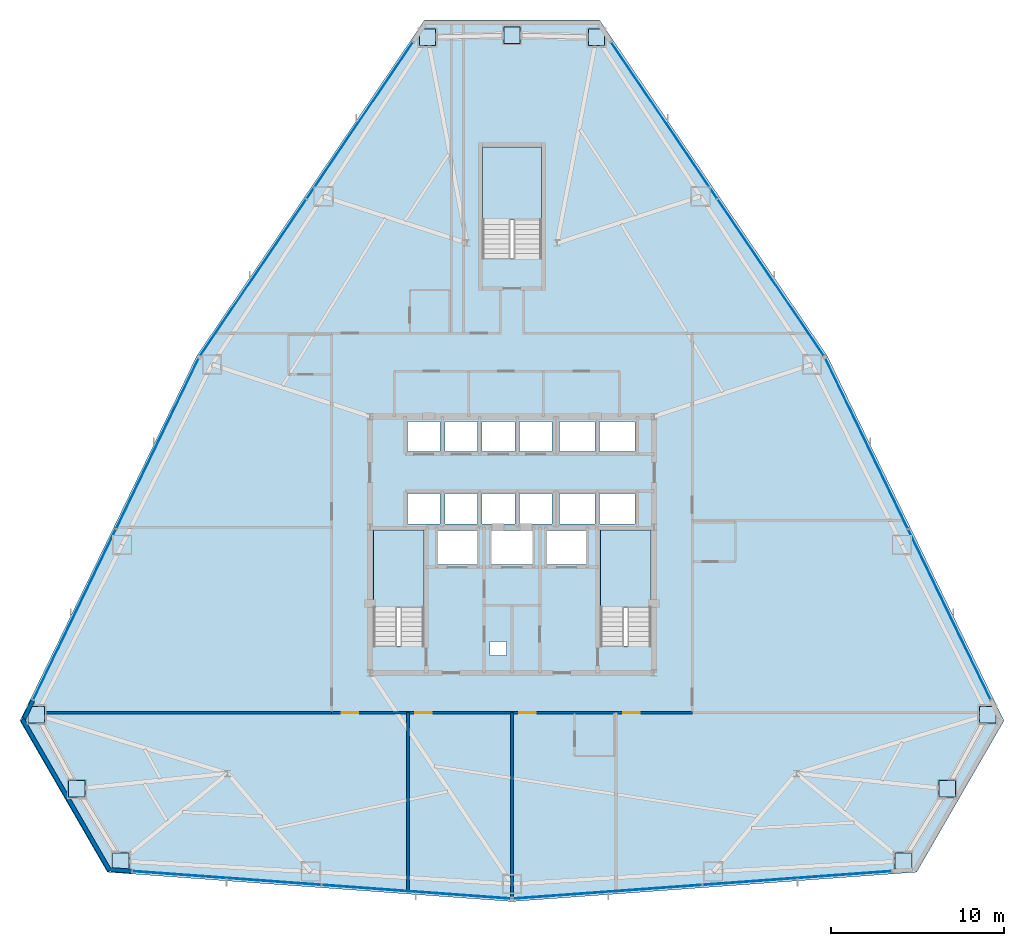
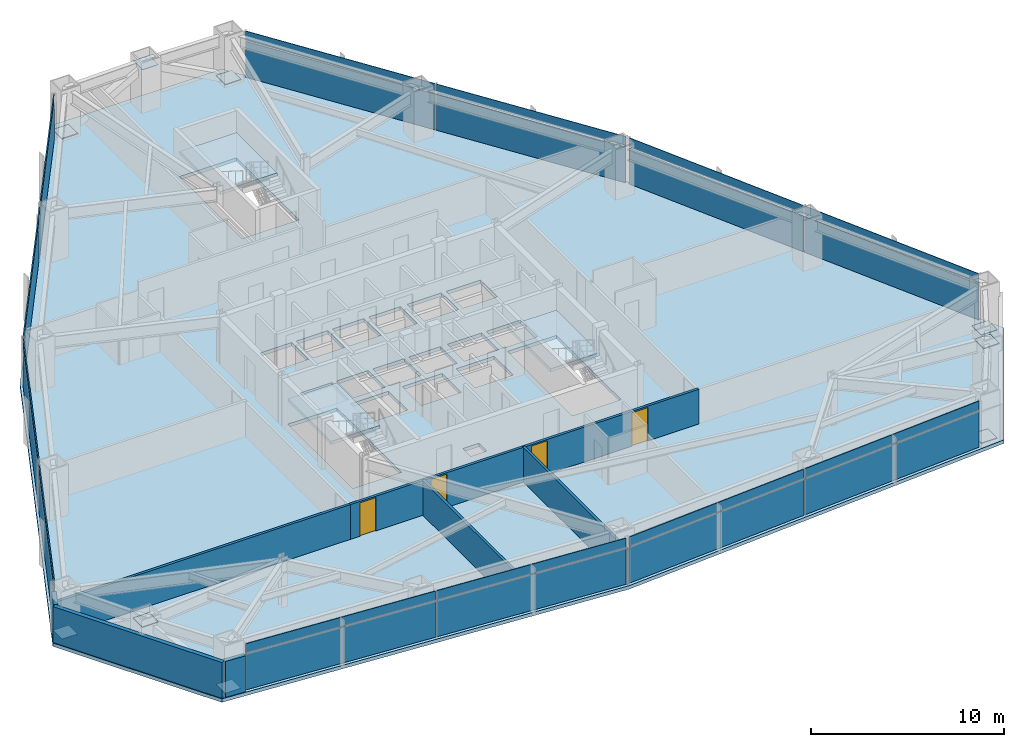
# One storey, part 8 of 12: 33 plates, 7 walls, 4 doors, 4 slabs, 4 openings, 9 elements without a shape of their own.
"""IFC4 building model written with IfcOpenShell, lengths in metres."""

from ifc_helpers import new_model, si_unit, direction, frame, frame_2d, origin, origin_2d, place, context, subcontext, project, spatial, polyline, rectangle, outline, extrude, source, transform, mapped, material, layer, layer_set, type_object, type_shapes, element, fill, aggregate, save


model = new_model("IFC4")

# Units and contexts
model_context = context("Model", 3, precision=1e-05, world=origin(), true_north=direction((0.0, 1.0)))
body_context = subcontext(model_context, "Body", "Model", "MODEL_VIEW")
ifc_project = project(units=[si_unit("LENGTHUNIT", "METRE"), si_unit("AREAUNIT", "SQUARE_METRE"), si_unit("VOLUMEUNIT", "CUBIC_METRE"), si_unit("PLANEANGLEUNIT", "RADIAN"), si_unit("MASSUNIT", "GRAM", prefix="KILO")], contexts=[model_context])

# Site, building, storey
site_placement = place(None, origin())
site = spatial("IfcSite", under=ifc_project, at=site_placement, CompositionType="ELEMENT")
building_placement = place(site_placement, origin())
building = spatial("IfcBuilding", under=site, at=building_placement, Name="Varakhsha Concourse Tower", CompositionType="ELEMENT")
storey_placement = place(building_placement, frame((0.0, 0.0, 59.199951171875)))
storey = spatial("IfcBuildingStorey", under=building, at=storey_placement, Name="L16", CompositionType="ELEMENT", Elevation=59.199951171875)

# Slab
ifc_material_1 = material(Name="Concrete fc 45 MPa", Category="concrete")
ifc_layer_1 = layer(ifc_material_1, 0.219970703125, Name="SL-FLR-220")
ifc_layer_set_1 = layer_set([ifc_layer_1], Name="Concrete fc 45 MPa")
slab_type_1 = type_object("IfcSlabType", Name="SL-FLR-220", PredefinedType="FLOOR", material=ifc_layer_set_1)
slab_1_placement = place(storey_placement, frame((0.0, 0.0, -0.219970703125)))
element("IfcSlab", 1, at=slab_1_placement, inside=storey, type_object=slab_type_1, Name="L16 Composite Structural Slab", PredefinedType="FLOOR", context=body_context, shape_type="SweptSolid", body=[
    extrude(outline(polyline([(45.04296875, 54.0654296875), (34.95703125, 54.0654296875), (21.818115234375, 34.697265625), (11.6142578125, 13.634521484375), (16.656982421875, 4.89990234375), (40.0, 3.20556640625), (63.343017578125, 4.89990234375), (68.3857421875, 13.634521484375), (58.181884765625, 34.697265625), (45.04296875, 54.0654296875)]), holes=[polyline([(34.919921875, 17.93994140625), (34.919921875, 24.6298828125), (32.0, 24.6298828125), (32.0, 17.93994140625), (34.919921875, 17.93994140625)]), polyline([(48.02001953125, 17.93994140625), (48.02001953125, 24.6298828125), (45.10009765625, 24.6298828125), (45.10009765625, 17.93994140625), (48.02001953125, 17.93994140625)]), polyline([(41.699951171875, 40.300048828125), (41.699951171875, 46.75), (38.300048828125, 46.75), (38.300048828125, 40.300048828125), (41.699951171875, 40.300048828125)]), polyline([(33.9599609375, 29.159912109375), (35.840087890625, 29.159912109375), (35.840087890625, 30.89990234375), (33.9599609375, 30.89990234375), (33.9599609375, 29.159912109375)]), polyline([(36.1201171875, 29.159912109375), (38.0, 29.159912109375), (38.0, 30.89990234375), (36.1201171875, 30.89990234375), (36.1201171875, 29.159912109375)]), polyline([(38.280029296875, 29.159912109375), (40.159912109375, 29.159912109375), (40.159912109375, 30.89990234375), (38.280029296875, 30.89990234375), (38.280029296875, 29.159912109375)]), polyline([(40.43994140625, 29.159912109375), (42.320068359375, 29.159912109375), (42.320068359375, 30.89990234375), (40.43994140625, 30.89990234375), (40.43994140625, 29.159912109375)]), polyline([(33.9599609375, 25.0), (35.840087890625, 25.0), (35.840087890625, 26.739990234375), (33.9599609375, 26.739990234375), (33.9599609375, 25.0)]), polyline([(36.1201171875, 25.0), (38.0, 25.0), (38.0, 26.739990234375), (36.1201171875, 26.739990234375), (36.1201171875, 25.0)]), polyline([(38.280029296875, 25.0), (40.159912109375, 25.0), (40.159912109375, 26.739990234375), (38.280029296875, 26.739990234375), (38.280029296875, 25.0)]), polyline([(40.43994140625, 25.0), (42.320068359375, 25.0), (42.320068359375, 26.739990234375), (40.43994140625, 26.739990234375), (40.43994140625, 25.0)]), polyline([(42.739990234375, 29.159912109375), (44.780029296875, 29.159912109375), (44.780029296875, 30.89990234375), (42.739990234375, 30.89990234375), (42.739990234375, 29.159912109375)]), polyline([(45.06005859375, 29.159912109375), (47.10009765625, 29.159912109375), (47.10009765625, 30.89990234375), (45.06005859375, 30.89990234375), (45.06005859375, 29.159912109375)]), polyline([(42.739990234375, 25.0), (44.780029296875, 25.0), (44.780029296875, 26.739990234375), (42.739990234375, 26.739990234375), (42.739990234375, 25.0)]), polyline([(45.06005859375, 25.0), (47.10009765625, 25.0), (47.10009765625, 26.739990234375), (45.06005859375, 26.739990234375), (45.06005859375, 25.0)]), polyline([(35.7099609375, 22.639892578125), (37.989990234375, 22.639892578125), (37.989990234375, 24.60009765625), (35.7099609375, 24.60009765625), (35.7099609375, 22.639892578125)]), polyline([(42.010009765625, 22.639892578125), (44.2900390625, 22.639892578125), (44.2900390625, 24.60009765625), (42.010009765625, 24.60009765625), (42.010009765625, 22.639892578125)]), polyline([(38.81005859375, 22.639892578125), (41.18994140625, 22.639892578125), (41.18994140625, 24.60009765625), (38.81005859375, 24.60009765625), (38.81005859375, 22.639892578125)]), polyline([(38.719970703125, 17.39990234375), (39.679931640625, 17.39990234375), (39.679931640625, 18.199951171875), (38.719970703125, 18.199951171875), (38.719970703125, 17.39990234375)])]), origin(), (0.0, 0.0, 1.0), 0.219970703125),
])

# Stair, slab
stair_type_1 = type_object("IfcStairType", Name="ST-DOGLEG-1360", PredefinedType="HALF_TURN_STAIR", material=ifc_material_1)
stair_1_placement = place(storey_placement, origin())
stair_1 = element("IfcStair", 2, at=stair_1_placement, inside=storey, type_object=stair_type_1, Name="L16 Protected Exit Stair ST1", PredefinedType="HALF_TURN_STAIR")
ifc_layer_2 = layer(ifc_material_1, 0.199951171875, Name="SL-LAND-200")
ifc_layer_set_2 = layer_set([ifc_layer_2], Name="Concrete fc 45 MPa")
slab_type_2 = type_object("IfcSlabType", Name="SL-LAND-200", PredefinedType="LANDING", material=ifc_layer_set_2)
slab_2_placement = place(storey_placement, frame((0.0, 0.0, 1.400146484375)))
slab_2 = element("IfcSlab", 3, at=slab_2_placement, type_object=slab_type_2, Name="ST1 landing 1", PredefinedType="LANDING", context=body_context, shape_type="SweptSolid", body=[
    extrude(outline(polyline([(34.919921875, 20.179931640625), (34.919921875, 24.6298828125), (32.0, 24.6298828125), (32.0, 20.179931640625), (34.919921875, 20.179931640625)])), origin(), (0.0, 0.0, 1.0), 0.199951171875),
])
aggregate(stair_1, [slab_2])

stair_2_placement = place(storey_placement, origin())
stair_2 = element("IfcStair", 4, at=stair_2_placement, inside=storey, type_object=stair_type_1, Name="L16 Protected Exit Stair ST2", PredefinedType="HALF_TURN_STAIR")
slab_3_placement = place(storey_placement, frame((0.0, 0.0, 1.400146484375)))
slab_3 = element("IfcSlab", 5, at=slab_3_placement, type_object=slab_type_2, Name="ST2 landing 1", PredefinedType="LANDING", context=body_context, shape_type="SweptSolid", body=[
    extrude(outline(polyline([(48.02001953125, 20.179931640625), (48.02001953125, 24.6298828125), (45.10009765625, 24.6298828125), (45.10009765625, 20.179931640625), (48.02001953125, 20.179931640625)])), origin(), (0.0, 0.0, 1.0), 0.199951171875),
])
aggregate(stair_2, [slab_3])

stair_type_2 = type_object("IfcStairType", Name="ST-DOGLEG-1600", PredefinedType="HALF_TURN_STAIR", material=ifc_material_1)
stair_3_placement = place(storey_placement, origin())
stair_3 = element("IfcStair", 6, at=stair_3_placement, inside=storey, type_object=stair_type_2, Name="L16 Protected Exit Stair ST5", PredefinedType="HALF_TURN_STAIR")
slab_4_placement = place(storey_placement, frame((0.0, 0.0, 1.400146484375)))
slab_4 = element("IfcSlab", 7, at=slab_4_placement, type_object=slab_type_2, Name="ST5 landing 1", PredefinedType="LANDING", context=body_context, shape_type="SweptSolid", body=[
    extrude(outline(polyline([(41.699951171875, 42.5400390625), (41.699951171875, 46.75), (38.300048828125, 46.75), (38.300048828125, 42.5400390625), (41.699951171875, 42.5400390625)])), origin(), (0.0, 0.0, 1.0), 0.199951171875),
])
aggregate(stair_3, [slab_4])

# Plates
ifc_material_2 = material(Name="Structural Steel ASTM A572 Grade 50", Category="steel")
ifc_layer_3 = layer(ifc_material_2, 0.030029296875, Name="PL-ENDCAP-950")
ifc_layer_set_3 = layer_set([ifc_layer_3], Name="Structural Steel ASTM A572 Grade 50")
plate_type_1 = type_object("IfcPlateType", Name="PL-ENDCAP-950", PredefinedType="USERDEFINED", material=ifc_layer_set_3)
shared_shape_1 = source(origin(), body_context, "Body", "SweptSolid", [
    extrude(rectangle(XDim=0.949951171875, YDim=0.949951171875, at=origin_2d()), origin(), (0.0, 0.0, 1.0), 0.030029296875),
])
type_shapes(plate_type_1, [shared_shape_1])
for number, where, z_axis, x_axis, name in (
    (8, (44.87451171875, 53.067626953125, 0.10498046875), (0.0, 0.0, 1.0), (1.0, 0.0, 0.0), "Hollow Section End Cap GP-NODE-L16-0112"),
    (9, (40.0, 53.185546875, 2.6650390625), (0.0, 0.0, 1.0), (1.0, 0.0, 0.0), "Hollow Section End Cap GP-NODE-L16-0113"),
    (10, (35.12548828125, 53.067626953125, 0.10498046875), (0.0, 0.0, 1.0), (1.0, 0.0, 0.0), "Hollow Section End Cap GP-NODE-L16-0114"),
    (11, (12.562744140625, 13.987548828125, 0.10498046875), (0.0, 0.0, 1.0), (1.0, 0.0, 0.0), "Hollow Section End Cap GP-NODE-L16-0115"),
    (12, (14.897705078125, 9.707275390625, 2.6650390625), (0.0, 0.0, 1.0), (1.0, 0.0, 0.0), "Hollow Section End Cap GP-NODE-L16-0116"),
    (13, (17.43701171875, 5.544921875, 0.10498046875), (0.0, 0.0, 1.0), (1.0, 0.0, 0.0), "Hollow Section End Cap GP-NODE-L16-0117"),
    (14, (62.56298828125, 5.544921875, 0.10498046875), (0.0, 0.0, 1.0), (1.0, 0.0, 0.0), "Hollow Section End Cap GP-NODE-L16-0118"),
    (15, (65.102294921875, 9.707275390625, 2.6650390625), (0.0, 0.0, 1.0), (1.0, 0.0, 0.0), "Hollow Section End Cap GP-NODE-L16-0119"),
    (16, (67.437255859375, 13.987548828125, 0.10498046875), (0.0, 0.0, 1.0), (1.0, 0.0, 0.0), "Hollow Section End Cap GP-NODE-L16-0120"),
):
    element("IfcPlate", number, at=place(storey_placement, frame(where, z_axis=z_axis, x_axis=x_axis)), inside=storey, type_object=plate_type_1, Name=name, ObjectType="END PLATE", PredefinedType="USERDEFINED", context=body_context, shape_type="MappedRepresentation", body=[
        mapped(shared_shape_1, transform((0.0, 0.0, 0.0), scale=1.0)),
    ])

# Curtain wall, plates
ifc_material_3 = material(Name="Anodised Bronze Architectural Aluminium AA 6063-T6", Category="aluminium")
ifc_layer_4 = layer(ifc_material_3, 0.219970703125, Name="CW-SYS-02")
ifc_layer_set_4 = layer_set([ifc_layer_4], Name="Anodised Bronze Architectural Aluminium AA 6063-T6")
curtain_wall_type = type_object("IfcCurtainWallType", Name="CW-SYS-02", PredefinedType="NOTDEFINED", material=ifc_layer_set_4)
curtain_wall_1_placement = place(storey_placement, origin())
curtain_wall_1 = element("IfcCurtainWall", 17, at=curtain_wall_1_placement, inside=storey, type_object=curtain_wall_type, Name="L16 Crystal Curtain Wall F2", PredefinedType="NOTDEFINED")
ifc_material_4 = material(Name="Low-E Triple Insulating Glass IGU 44 mm", Category="glass")
ifc_layer_5 = layer(ifc_material_4, 0.0439453125, Name="CWP-IGU-44")
ifc_layer_set_5 = layer_set([ifc_layer_5], Name="Low-E Triple Insulating Glass IGU 44 mm")
plate_type_2 = type_object("IfcPlateType", Name="CWP-IGU-44", PredefinedType="CURTAIN_PANEL", material=ifc_layer_set_5)
shared_shape_2 = source(origin(), body_context, "Body", "SweptSolid", [
    extrude(rectangle(XDim=10.873046875, YDim=0.0439453125, at=origin_2d()), origin(), (0.0, 0.0, 1.0), 2.260986328125),
])
plate_1_placement = place(storey_placement, frame((25.069580078125, 39.205322265625, 0.03466796875), z_axis=(0.0, 0.0, 1.0), x_axis=(0.561391731634, 0.827550194038, 0.0)))
plate_1 = element("IfcPlate", 18, at=plate_1_placement, type_object=plate_type_2, Name="CW-L16-F2 Panel 00-00", PredefinedType="CURTAIN_PANEL", context=body_context, shape_type="MappedRepresentation", body=[
    mapped(shared_shape_2, transform((0.0, 0.0, 0.0), scale=1.0)),
])
plate_2_placement = place(storey_placement, frame((31.218017578125, 48.268798828125, 0.03466796875), z_axis=(0.0, 0.0, 1.0), x_axis=(0.561391731634, 0.827550194038, 0.0)))
plate_2 = element("IfcPlate", 19, at=plate_2_placement, type_object=plate_type_2, Name="CW-L16-F2 Panel 01-00", PredefinedType="CURTAIN_PANEL", context=body_context, shape_type="MappedRepresentation", body=[
    mapped(shared_shape_2, transform((0.0, 0.0, 0.0), scale=1.0)),
])

# Curtain wall, plate
curtain_wall_2_placement = place(storey_placement, origin())
curtain_wall_2 = element("IfcCurtainWall", 20, at=curtain_wall_2_placement, inside=storey, type_object=curtain_wall_type, Name="L16 Crystal Curtain Wall F3", PredefinedType="NOTDEFINED")
plate_3_placement = place(storey_placement, frame((14.764892578125, 19.770751953125, 0.03466796875), z_axis=(0.0, 0.0, 1.0), x_axis=(0.435982054409, 0.899955359022, 0.0)))
plate_3 = element("IfcPlate", 21, at=plate_3_placement, type_object=plate_type_2, Name="CW-L16-F3 Panel 00-00", PredefinedType="CURTAIN_PANEL", context=body_context, shape_type="MappedRepresentation", body=[
    mapped(shared_shape_2, transform((0.0, 0.0, 0.0), scale=1.0)),
])

curtain_wall_3_placement = place(storey_placement, origin())
curtain_wall_3 = element("IfcCurtainWall", 22, at=curtain_wall_3_placement, inside=storey, type_object=curtain_wall_type, Name="L16 Crystal Curtain Wall F5", PredefinedType="NOTDEFINED")
plate_4_placement = place(storey_placement, frame((34.47021484375, 3.767333984375, 0.03466796875), z_axis=(0.0, 0.0, 1.0), x_axis=(-0.997375609494, 0.072400922553, 0.0)))
plate_4 = element("IfcPlate", 23, at=plate_4_placement, type_object=plate_type_2, Name="CW-L16-F5 Panel 00-00", PredefinedType="CURTAIN_PANEL", context=body_context, shape_type="MappedRepresentation", body=[
    mapped(shared_shape_2, transform((0.0, 0.0, 0.0), scale=1.0)),
])

curtain_wall_4_placement = place(storey_placement, origin())
curtain_wall_4 = element("IfcCurtainWall", 24, at=curtain_wall_4_placement, inside=storey, type_object=curtain_wall_type, Name="L16 Crystal Curtain Wall F6", PredefinedType="NOTDEFINED")
plate_5_placement = place(storey_placement, frame((56.453369140625, 4.560302734375, 0.03466796875), z_axis=(0.0, 0.0, 1.0), x_axis=(-0.997375609494, -0.072400922553, 0.0)))
plate_5 = element("IfcPlate", 25, at=plate_5_placement, type_object=plate_type_2, Name="CW-L16-F6 Panel 00-00", PredefinedType="CURTAIN_PANEL", context=body_context, shape_type="MappedRepresentation", body=[
    mapped(shared_shape_2, transform((0.0, 0.0, 0.0), scale=1.0)),
])

curtain_wall_5_placement = place(storey_placement, origin())
curtain_wall_5 = element("IfcCurtainWall", 26, at=curtain_wall_5_placement, inside=storey, type_object=curtain_wall_type, Name="L16 Crystal Curtain Wall F8", PredefinedType="NOTDEFINED")
plate_6_placement = place(storey_placement, frame((60.460205078125, 29.627197265625, 0.03466796875), z_axis=(0.0, 0.0, 1.0), x_axis=(0.435982054409, -0.899955359022, 0.0)))
plate_6 = element("IfcPlate", 27, at=plate_6_placement, type_object=plate_type_2, Name="CW-L16-F8 Panel 00-00", PredefinedType="CURTAIN_PANEL", context=body_context, shape_type="MappedRepresentation", body=[
    mapped(shared_shape_2, transform((0.0, 0.0, 0.0), scale=1.0)),
])

# Curtain wall, plates
curtain_wall_6_placement = place(storey_placement, origin())
curtain_wall_6 = element("IfcCurtainWall", 28, at=curtain_wall_6_placement, inside=storey, type_object=curtain_wall_type, Name="L16 Crystal Curtain Wall F9", PredefinedType="NOTDEFINED")
plate_7_placement = place(storey_placement, frame((48.781982421875, 48.268798828125, 0.03466796875), z_axis=(0.0, 0.0, 1.0), x_axis=(0.561391731634, -0.827550194038, 0.0)))
plate_7 = element("IfcPlate", 29, at=plate_7_placement, type_object=plate_type_2, Name="CW-L16-F9 Panel 00-00", PredefinedType="CURTAIN_PANEL", context=body_context, shape_type="MappedRepresentation", body=[
    mapped(shared_shape_2, transform((0.0, 0.0, 0.0), scale=1.0)),
])
plate_8_placement = place(storey_placement, frame((54.930419921875, 39.205322265625, 0.03466796875), z_axis=(0.0, 0.0, 1.0), x_axis=(0.561391731634, -0.827550194038, 0.0)))
plate_8 = element("IfcPlate", 30, at=plate_8_placement, type_object=plate_type_2, Name="CW-L16-F9 Panel 01-00", PredefinedType="CURTAIN_PANEL", context=body_context, shape_type="MappedRepresentation", body=[
    mapped(shared_shape_2, transform((0.0, 0.0, 0.0), scale=1.0)),
])

# Plate
ifc_material_5 = material(Name="Glazed Turquoise-Bronze Ceramic Spandrel Panel 38 mm", Category="ceramic")
ifc_layer_6 = layer(ifc_material_5, 0.0380859375, Name="CWP-SPN-38")
ifc_layer_set_6 = layer_set([ifc_layer_6], Name="Glazed Turquoise-Bronze Ceramic Spandrel Panel 38 mm")
plate_type_3 = type_object("IfcPlateType", Name="CWP-SPN-38", PredefinedType="USERDEFINED", material=ifc_layer_set_6)
shared_shape_3 = source(origin(), body_context, "Body", "SweptSolid", [
    extrude(rectangle(XDim=10.873046875, YDim=0.0380859375, at=origin_2d()), origin(), (0.0, 0.0, 1.0), 0.5810546875),
])
plate_9_placement = place(storey_placement, frame((25.069580078125, 39.205322265625, 2.364501953125), z_axis=(0.0, 0.0, 1.0), x_axis=(0.561391731634, 0.827550194038, 0.0)))
plate_9 = element("IfcPlate", 31, at=plate_9_placement, type_object=plate_type_3, Name="CW-L16-F2 Panel 00-01", ObjectType="SPANDREL", PredefinedType="USERDEFINED", context=body_context, shape_type="MappedRepresentation", body=[
    mapped(shared_shape_3, transform((0.0, 0.0, 0.0), scale=1.0)),
])

plate_10_placement = place(storey_placement, frame((31.218017578125, 48.268798828125, 2.364501953125), z_axis=(0.0, 0.0, 1.0), x_axis=(0.561391731634, 0.827550194038, 0.0)))
plate_10 = element("IfcPlate", 32, at=plate_10_placement, type_object=plate_type_3, Name="CW-L16-F2 Panel 01-01", ObjectType="SPANDREL", PredefinedType="USERDEFINED", context=body_context, shape_type="MappedRepresentation", body=[
    mapped(shared_shape_3, transform((0.0, 0.0, 0.0), scale=1.0)),
])

aggregate(curtain_wall_1, [plate_1, plate_9, plate_2, plate_10])

plate_11_placement = place(storey_placement, frame((14.764892578125, 19.770751953125, 2.364501953125), z_axis=(0.0, 0.0, 1.0), x_axis=(0.435982054409, 0.899955359022, 0.0)))
plate_11 = element("IfcPlate", 33, at=plate_11_placement, type_object=plate_type_3, Name="CW-L16-F3 Panel 00-01", ObjectType="SPANDREL", PredefinedType="USERDEFINED", context=body_context, shape_type="MappedRepresentation", body=[
    mapped(shared_shape_3, transform((0.0, 0.0, 0.0), scale=1.0)),
])

plate_12_placement = place(storey_placement, frame((34.47021484375, 3.767333984375, 2.364501953125), z_axis=(0.0, 0.0, 1.0), x_axis=(-0.997375609494, 0.072400922553, 0.0)))
plate_12 = element("IfcPlate", 34, at=plate_12_placement, type_object=plate_type_3, Name="CW-L16-F5 Panel 00-01", ObjectType="SPANDREL", PredefinedType="USERDEFINED", context=body_context, shape_type="MappedRepresentation", body=[
    mapped(shared_shape_3, transform((0.0, 0.0, 0.0), scale=1.0)),
])

plate_13_placement = place(storey_placement, frame((56.453369140625, 4.560302734375, 2.364501953125), z_axis=(0.0, 0.0, 1.0), x_axis=(-0.997375609494, -0.072400922553, 0.0)))
plate_13 = element("IfcPlate", 35, at=plate_13_placement, type_object=plate_type_3, Name="CW-L16-F6 Panel 00-01", ObjectType="SPANDREL", PredefinedType="USERDEFINED", context=body_context, shape_type="MappedRepresentation", body=[
    mapped(shared_shape_3, transform((0.0, 0.0, 0.0), scale=1.0)),
])

plate_14_placement = place(storey_placement, frame((60.460205078125, 29.627197265625, 2.364501953125), z_axis=(0.0, 0.0, 1.0), x_axis=(0.435982054409, -0.899955359022, 0.0)))
plate_14 = element("IfcPlate", 36, at=plate_14_placement, type_object=plate_type_3, Name="CW-L16-F8 Panel 00-01", ObjectType="SPANDREL", PredefinedType="USERDEFINED", context=body_context, shape_type="MappedRepresentation", body=[
    mapped(shared_shape_3, transform((0.0, 0.0, 0.0), scale=1.0)),
])

plate_15_placement = place(storey_placement, frame((48.781982421875, 48.268798828125, 2.364501953125), z_axis=(0.0, 0.0, 1.0), x_axis=(0.561391731634, -0.827550194038, 0.0)))
plate_15 = element("IfcPlate", 37, at=plate_15_placement, type_object=plate_type_3, Name="CW-L16-F9 Panel 00-01", ObjectType="SPANDREL", PredefinedType="USERDEFINED", context=body_context, shape_type="MappedRepresentation", body=[
    mapped(shared_shape_3, transform((0.0, 0.0, 0.0), scale=1.0)),
])

plate_16_placement = place(storey_placement, frame((54.930419921875, 39.205322265625, 2.364501953125), z_axis=(0.0, 0.0, 1.0), x_axis=(0.561391731634, -0.827550194038, 0.0)))
plate_16 = element("IfcPlate", 38, at=plate_16_placement, type_object=plate_type_3, Name="CW-L16-F9 Panel 01-01", ObjectType="SPANDREL", PredefinedType="USERDEFINED", context=body_context, shape_type="MappedRepresentation", body=[
    mapped(shared_shape_3, transform((0.0, 0.0, 0.0), scale=1.0)),
])

aggregate(curtain_wall_6, [plate_7, plate_15, plate_8, plate_16])

shared_shape_4 = source(origin(), body_context, "Body", "SweptSolid", [
    extrude(rectangle(XDim=10.873291015625, YDim=0.0439453125, at=origin_2d()), origin(), (0.0, 0.0, 1.0), 2.260986328125),
])
type_shapes(plate_type_2, [shared_shape_2, shared_shape_4])
plate_17_placement = place(storey_placement, frame((19.539794921875, 29.627197265625, 0.03466796875), z_axis=(0.0, 0.0, 1.0), x_axis=(0.435982054409, 0.899955359022, 0.0)))
plate_17 = element("IfcPlate", 39, at=plate_17_placement, type_object=plate_type_2, Name="CW-L16-F3 Panel 01-00", PredefinedType="CURTAIN_PANEL", context=body_context, shape_type="MappedRepresentation", body=[
    mapped(shared_shape_4, transform((0.0, 0.0, 0.0), scale=1.0)),
])

plate_18_placement = place(storey_placement, frame((23.546630859375, 4.560302734375, 0.03466796875), z_axis=(0.0, 0.0, 1.0), x_axis=(-0.997375609494, 0.072400922553, 0.0)))
plate_18 = element("IfcPlate", 40, at=plate_18_placement, type_object=plate_type_2, Name="CW-L16-F5 Panel 01-00", PredefinedType="CURTAIN_PANEL", context=body_context, shape_type="MappedRepresentation", body=[
    mapped(shared_shape_4, transform((0.0, 0.0, 0.0), scale=1.0)),
])

plate_19_placement = place(storey_placement, frame((45.52978515625, 3.767333984375, 0.03466796875), z_axis=(0.0, 0.0, 1.0), x_axis=(-0.997375609494, -0.072400922553, 0.0)))
plate_19 = element("IfcPlate", 41, at=plate_19_placement, type_object=plate_type_2, Name="CW-L16-F6 Panel 01-00", PredefinedType="CURTAIN_PANEL", context=body_context, shape_type="MappedRepresentation", body=[
    mapped(shared_shape_4, transform((0.0, 0.0, 0.0), scale=1.0)),
])

plate_20_placement = place(storey_placement, frame((65.235107421875, 19.77099609375, 0.03466796875), z_axis=(0.0, 0.0, 1.0), x_axis=(0.435982054409, -0.899955359022, 0.0)))
plate_20 = element("IfcPlate", 42, at=plate_20_placement, type_object=plate_type_2, Name="CW-L16-F8 Panel 01-00", PredefinedType="CURTAIN_PANEL", context=body_context, shape_type="MappedRepresentation", body=[
    mapped(shared_shape_4, transform((0.0, 0.0, 0.0), scale=1.0)),
])

shared_shape_5 = source(origin(), body_context, "Body", "SweptSolid", [
    extrude(rectangle(XDim=10.873291015625, YDim=0.0380859375, at=origin_2d()), origin(), (0.0, 0.0, 1.0), 0.5810546875),
])
type_shapes(plate_type_3, [shared_shape_3, shared_shape_5])
plate_21_placement = place(storey_placement, frame((19.539794921875, 29.627197265625, 2.364501953125), z_axis=(0.0, 0.0, 1.0), x_axis=(0.435982054409, 0.899955359022, 0.0)))
plate_21 = element("IfcPlate", 43, at=plate_21_placement, type_object=plate_type_3, Name="CW-L16-F3 Panel 01-01", ObjectType="SPANDREL", PredefinedType="USERDEFINED", context=body_context, shape_type="MappedRepresentation", body=[
    mapped(shared_shape_5, transform((0.0, 0.0, 0.0), scale=1.0)),
])

aggregate(curtain_wall_2, [plate_3, plate_11, plate_17, plate_21])

plate_22_placement = place(storey_placement, frame((23.546630859375, 4.560302734375, 2.364501953125), z_axis=(0.0, 0.0, 1.0), x_axis=(-0.997375609494, 0.072400922553, 0.0)))
plate_22 = element("IfcPlate", 44, at=plate_22_placement, type_object=plate_type_3, Name="CW-L16-F5 Panel 01-01", ObjectType="SPANDREL", PredefinedType="USERDEFINED", context=body_context, shape_type="MappedRepresentation", body=[
    mapped(shared_shape_5, transform((0.0, 0.0, 0.0), scale=1.0)),
])

aggregate(curtain_wall_3, [plate_4, plate_12, plate_18, plate_22])

plate_23_placement = place(storey_placement, frame((45.52978515625, 3.767333984375, 2.364501953125), z_axis=(0.0, 0.0, 1.0), x_axis=(-0.997375609494, -0.072400922553, 0.0)))
plate_23 = element("IfcPlate", 45, at=plate_23_placement, type_object=plate_type_3, Name="CW-L16-F6 Panel 01-01", ObjectType="SPANDREL", PredefinedType="USERDEFINED", context=body_context, shape_type="MappedRepresentation", body=[
    mapped(shared_shape_5, transform((0.0, 0.0, 0.0), scale=1.0)),
])

aggregate(curtain_wall_4, [plate_5, plate_13, plate_19, plate_23])

plate_24_placement = place(storey_placement, frame((65.235107421875, 19.77099609375, 2.364501953125), z_axis=(0.0, 0.0, 1.0), x_axis=(0.435982054409, -0.899955359022, 0.0)))
plate_24 = element("IfcPlate", 46, at=plate_24_placement, type_object=plate_type_3, Name="CW-L16-F8 Panel 01-01", ObjectType="SPANDREL", PredefinedType="USERDEFINED", context=body_context, shape_type="MappedRepresentation", body=[
    mapped(shared_shape_5, transform((0.0, 0.0, 0.0), scale=1.0)),
])

aggregate(curtain_wall_5, [plate_6, plate_14, plate_20, plate_24])

# Walls
ifc_layer_7 = layer(ifc_material_1, 0.239990234375, Name="WL-EXT-CRN-240")
ifc_layer_set_7 = layer_set([ifc_layer_7], Name="Concrete fc 45 MPa")
wall_type_1 = type_object("IfcWallType", Name="WL-EXT-CRN-240", PredefinedType="SHEAR", material=ifc_layer_set_7)
wall_1_placement = place(storey_placement, frame((12.361083984375, 14.808837890625, 0.0), z_axis=(0.0, 0.0, 1.0), x_axis=(-0.436005533542, -0.899943984213, 0.0)))
element("IfcWall", 47, at=wall_1_placement, inside=storey, type_object=wall_type_1, Name="L16 Wind-Corner Shoulder Wall F3", PredefinedType="SHEAR", context=body_context, shape_type="SweptSolid", body=[
    extrude(rectangle(XDim=1.162353515625, YDim=0.239990234375, at=frame_2d((0.5810546875, 0.0))), origin(), (0.0, 0.0, 1.0), 2.262939453125),
])
wall_2_placement = place(storey_placement, frame((16.795654296875, 4.97998046875, 0.0), z_axis=(0.0, 0.0, 1.0), x_axis=(-0.499984376209, 0.866034423996, 0.0)))
element("IfcWall", 48, at=wall_2_placement, inside=storey, type_object=wall_type_1, Name="L16 Chamfer Wind-Corner Insulated Wall F4", PredefinedType="SHEAR", context=body_context, shape_type="SweptSolid", body=[
    extrude(rectangle(XDim=10.085693359375, YDim=0.239990234375, at=frame_2d((5.04296875, 0.0))), origin(), (0.0, 0.0, 1.0), 2.262939453125),
])
wall_3_placement = place(storey_placement, frame((16.88818359375, 5.043701171875, 0.0), z_axis=(0.0, 0.0, 1.0), x_axis=(0.997371614967, -0.072455929072, 0.0)))
element("IfcWall", 49, at=wall_3_placement, inside=storey, type_object=wall_type_1, Name="L16 Wind-Corner Shoulder Wall F5", PredefinedType="SHEAR", context=body_context, shape_type="SweptSolid", body=[
    extrude(rectangle(XDim=1.16259765625, YDim=0.239990234375, at=frame_2d((0.581298828125, 0.0))), origin(), (0.0, 0.0, 1.0), 2.262939453125),
])

# Wall, openings, doors
ifc_material_6 = material(Name="Fire-Rated Type X Gypsum Partition Assembly", Category="gypsum")
ifc_layer_8 = layer(ifc_material_6, 0.14990234375, Name="WL-PART-150")
ifc_layer_set_8 = layer_set([ifc_layer_8], Name="Fire-Rated Type X Gypsum Partition Assembly")
wall_type_2 = type_object("IfcWallType", Name="WL-PART-150", PredefinedType="PARTITIONING", material=ifc_layer_set_8)
wall_4_placement = place(storey_placement, frame((29.60009765625, 14.10009765625, 0.0), z_axis=(0.0, 0.0, 1.0), x_axis=(1.0, 0.0, 0.0)))
wall_4 = element("IfcWall", 50, at=wall_4_placement, inside=storey, type_object=wall_type_2, Name="L16 Wall CRW-S-L16", PredefinedType="PARTITIONING", context=body_context, shape_type="SweptSolid", body=[
    extrude(rectangle(XDim=20.7998046875, YDim=0.14990234375, at=frame_2d((10.39990234375, 0.0))), origin(), (0.0, 0.0, 1.0), 2.191162109375),
])
opening_1_placement = place(wall_4_placement, frame((0.570068359375, 0.0, 0.0)))
opening_1 = element("IfcOpeningElement", 51, at=opening_1_placement, cuts=wall_4, Name="Opening DF-05", PredefinedType="OPENING", context=body_context, shape_type="SweptSolid", body=[
    extrude(rectangle(XDim=0.949951171875, YDim=2.10009765625, at=frame_2d((0.47509765625, 1.050048828125))), frame((0.0, 0.0849609375, 0.0), z_axis=(0.0, -1.0, 0.0), x_axis=(1.0, 0.0, 0.0)), (0.0, 0.0, 1.0), 0.169921875),
])
opening_2_placement = place(wall_4_placement, frame((4.820068359375, 0.0, 0.0)))
opening_2 = element("IfcOpeningElement", 52, at=opening_2_placement, cuts=wall_4, Name="Opening DF-05", PredefinedType="OPENING", context=body_context, shape_type="SweptSolid", body=[
    extrude(rectangle(XDim=0.949951171875, YDim=2.10009765625, at=frame_2d((0.47509765625, 1.050048828125))), frame((0.0, 0.0849609375, 0.0), z_axis=(0.0, -1.0, 0.0), x_axis=(1.0, 0.0, 0.0)), (0.0, 0.0, 1.0), 0.169921875),
])
opening_3_placement = place(wall_4_placement, frame((10.820068359375, 0.0, 0.0)))
opening_3 = element("IfcOpeningElement", 53, at=opening_3_placement, cuts=wall_4, Name="Opening DF-05", PredefinedType="OPENING", context=body_context, shape_type="SweptSolid", body=[
    extrude(rectangle(XDim=0.949951171875, YDim=2.10009765625, at=frame_2d((0.47509765625, 1.050048828125))), frame((0.0, 0.0849609375, 0.0), z_axis=(0.0, -1.0, 0.0), x_axis=(1.0, 0.0, 0.0)), (0.0, 0.0, 1.0), 0.169921875),
])
opening_4_placement = place(wall_4_placement, frame((16.820068359375, 0.0, 0.0)))
opening_4 = element("IfcOpeningElement", 54, at=opening_4_placement, cuts=wall_4, Name="Opening DF-05", PredefinedType="OPENING", context=body_context, shape_type="SweptSolid", body=[
    extrude(rectangle(XDim=0.949951171875, YDim=2.10009765625, at=frame_2d((0.47509765625, 1.050048828125))), frame((0.0, 0.0849609375, 0.0), z_axis=(0.0, -1.0, 0.0), x_axis=(1.0, 0.0, 0.0)), (0.0, 0.0, 1.0), 0.169921875),
])
ifc_material_7 = material(Name="Hollow Galvanised Steel Fire Door Assembly", Category="steel")
door_type = type_object("IfcDoorType", Name="DR-FD60-950", OperationType="NOTDEFINED", PredefinedType="DOOR", material=ifc_material_7)
door_1_placement = place(opening_1_placement, origin())
door_1 = element("IfcDoor", 55, at=door_1_placement, inside=storey, type_object=door_type, Name="L16 Hospitality Conservatory Lounge L16-H01 Door", OperationType="SINGLE_SWING_LEFT", OverallHeight=2.10009765625, OverallWidth=0.949951171875, PredefinedType="DOOR", context=body_context, shape_type="SweptSolid", body=[
    extrude(rectangle(XDim=0.949951171875, YDim=2.10009765625, at=frame_2d((0.47509765625, 1.050048828125))), frame((0.0, 0.02490234375, 0.0), z_axis=(0.0, -1.0, 0.0), x_axis=(1.0, 0.0, 0.0)), (0.0, 0.0, 1.0), 0.050048828125),
])
fill(opening_1, door_1)
door_2_placement = place(opening_2_placement, origin())
door_2 = element("IfcDoor", 56, at=door_2_placement, inside=storey, type_object=door_type, Name="L16 Hospitality Conservatory Lounge L16-H02 Door", OperationType="SINGLE_SWING_RIGHT", OverallHeight=2.10009765625, OverallWidth=0.949951171875, PredefinedType="DOOR", context=body_context, shape_type="SweptSolid", body=[
    extrude(rectangle(XDim=0.949951171875, YDim=2.10009765625, at=frame_2d((0.47509765625, 1.050048828125))), frame((0.0, 0.02490234375, 0.0), z_axis=(0.0, -1.0, 0.0), x_axis=(1.0, 0.0, 0.0)), (0.0, 0.0, 1.0), 0.050048828125),
])
fill(opening_2, door_2)
door_3_placement = place(opening_3_placement, origin())
door_3 = element("IfcDoor", 57, at=door_3_placement, inside=storey, type_object=door_type, Name="L16 Hotel Corner Suite L16-H03 Entry Door", OperationType="SINGLE_SWING_LEFT", OverallHeight=2.10009765625, OverallWidth=0.949951171875, PredefinedType="DOOR", context=body_context, shape_type="SweptSolid", body=[
    extrude(rectangle(XDim=0.949951171875, YDim=2.10009765625, at=frame_2d((0.47509765625, 1.050048828125))), frame((0.0, 0.02490234375, 0.0), z_axis=(0.0, -1.0, 0.0), x_axis=(1.0, 0.0, 0.0)), (0.0, 0.0, 1.0), 0.050048828125),
])
fill(opening_3, door_3)
door_4_placement = place(opening_4_placement, origin())
door_4 = element("IfcDoor", 58, at=door_4_placement, inside=storey, type_object=door_type, Name="L16 Hospitality Conservatory Lounge L16-H04 Door", OperationType="SINGLE_SWING_RIGHT", OverallHeight=2.10009765625, OverallWidth=0.949951171875, PredefinedType="DOOR", context=body_context, shape_type="SweptSolid", body=[
    extrude(rectangle(XDim=0.949951171875, YDim=2.10009765625, at=frame_2d((0.47509765625, 1.050048828125))), frame((0.0, 0.02490234375, 0.0), z_axis=(0.0, -1.0, 0.0), x_axis=(1.0, 0.0, 0.0)), (0.0, 0.0, 1.0), 0.050048828125),
])
fill(opening_4, door_4)

# Walls
wall_5_placement = place(storey_placement, frame((34.0, 3.806396484375, 0.0), z_axis=(0.0, 0.0, 1.0), x_axis=(0.0, 1.0, 0.0)))
element("IfcWall", 59, at=wall_5_placement, inside=storey, type_object=wall_type_2, Name="L16 Wall HDIV-S1-L16", PredefinedType="PARTITIONING", context=body_context, shape_type="SweptSolid", body=[
    extrude(rectangle(XDim=10.293701171875, YDim=0.14990234375, at=frame_2d((5.14697265625, 0.0))), origin(), (0.0, 0.0, 1.0), 2.191162109375),
])
wall_6_placement = place(storey_placement, frame((40.0, 3.370849609375, 0.0), z_axis=(0.0, 0.0, 1.0), x_axis=(0.0, 1.0, 0.0)))
element("IfcWall", 60, at=wall_6_placement, inside=storey, type_object=wall_type_2, Name="L16 Wall HDIV-S2-L16", PredefinedType="PARTITIONING", context=body_context, shape_type="SweptSolid", body=[
    extrude(rectangle(XDim=10.729248046875, YDim=0.14990234375, at=frame_2d((5.36474609375, 0.0))), origin(), (0.0, 0.0, 1.0), 2.191162109375),
])
wall_7_placement = place(storey_placement, frame((12.023193359375, 14.10009765625, 0.0), z_axis=(0.0, 0.0, 1.0), x_axis=(1.0, 0.0, 0.0)))
element("IfcWall", 61, at=wall_7_placement, inside=storey, type_object=wall_type_2, Name="L16 Wall HDIV-WB0-L16", PredefinedType="PARTITIONING", context=body_context, shape_type="SweptSolid", body=[
    extrude(rectangle(XDim=17.576904296875, YDim=0.14990234375, at=frame_2d((8.78857421875, 0.0))), origin(), (0.0, 0.0, 1.0), 2.191162109375),
])

save(model, "model.ifc")
